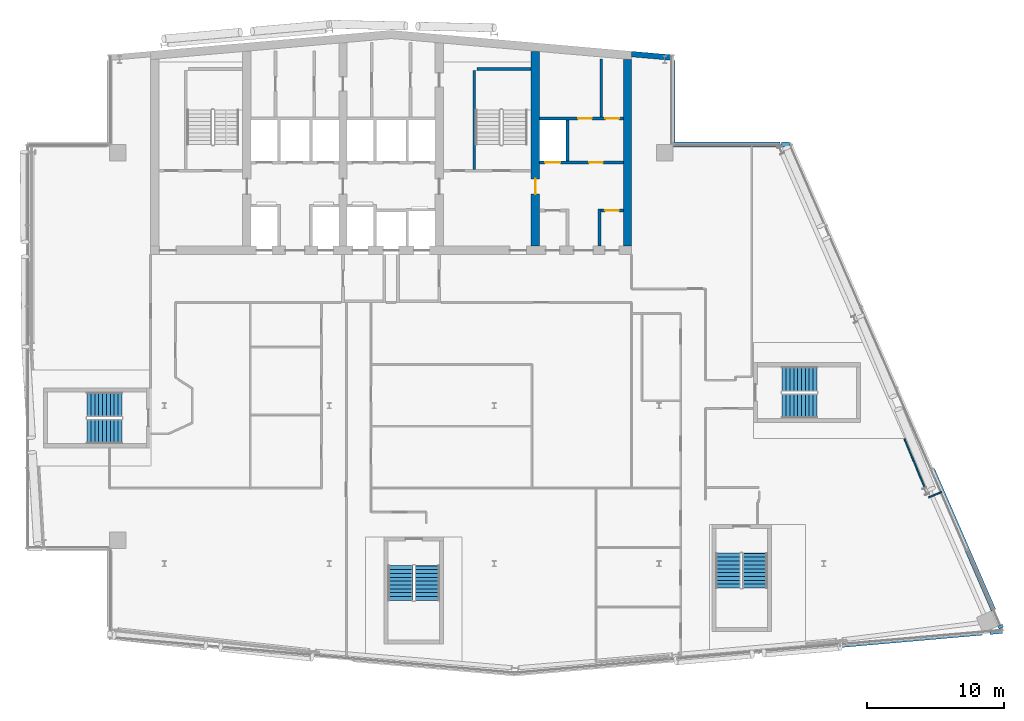
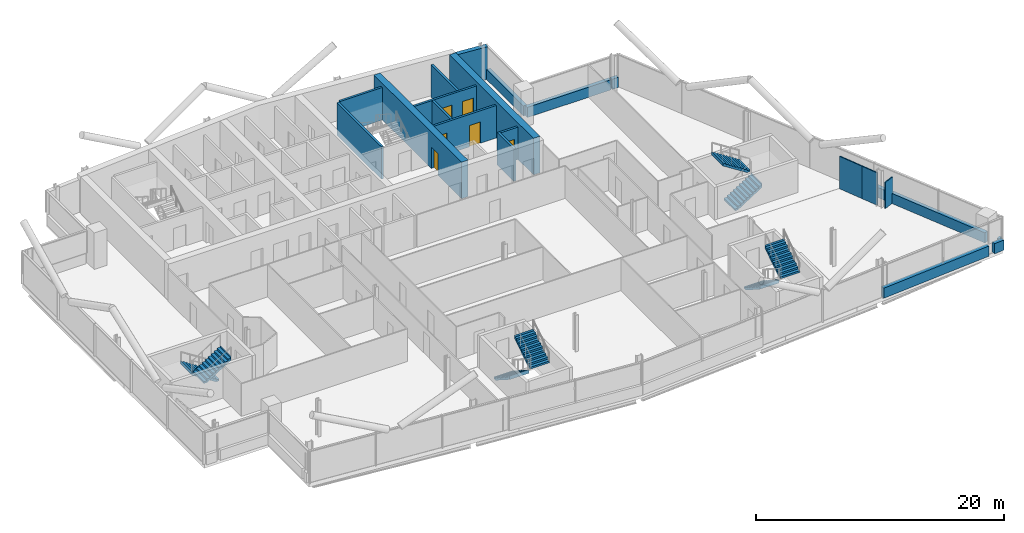
# One storey, part 19 of 27: 21 walls, 8 stair flights, 6 doors, 6 openings, 4 elements without a shape of their own.
"""IFC4 building model written with IfcOpenShell, lengths in metres."""

from ifc_helpers import new_model, si_unit, direction, frame, frame_2d, origin, place, context, subcontext, project, spatial, polyline, rectangle, outline, extrude, material, layer, layer_set, type_object, element, fill, aggregate, save


model = new_model("IFC4")

# Units and contexts
model_context = context("Model", 3, precision=1e-05, world=origin(), true_north=direction((0.0, 1.0)))
body_context = subcontext(model_context, "Body", "Model", "MODEL_VIEW")
ifc_project = project(units=[si_unit("LENGTHUNIT", "METRE"), si_unit("AREAUNIT", "SQUARE_METRE"), si_unit("VOLUMEUNIT", "CUBIC_METRE"), si_unit("PLANEANGLEUNIT", "RADIAN"), si_unit("MASSUNIT", "GRAM", prefix="KILO")], contexts=[model_context])

# Site, building, storey
site_placement = place(None, origin())
site = spatial("IfcSite", under=ifc_project, at=site_placement, CompositionType="ELEMENT")
building_placement = place(site_placement, origin())
building = spatial("IfcBuilding", under=site, at=building_placement, Name="Wharfspan Tower", CompositionType="ELEMENT")
storey_placement = place(building_placement, frame((0.0, 0.0, 228.699951)))
storey = spatial("IfcBuildingStorey", under=building, at=storey_placement, Name="L57", CompositionType="ELEMENT", Elevation=228.699951)

# Wall, opening, door
ifc_material_1 = material(Name="Calcium silicate masonry", Category="masonry")
ifc_layer_1 = layer(ifc_material_1, 0.199951)
ifc_layer_set_1 = layer_set([ifc_layer_1], Name="Calcium silicate masonry")
wall_type_1 = type_object("IfcWallType", Name="Core room wall 200", PredefinedType="PARTITIONING", material=ifc_layer_set_1)
wall_1_placement = place(storey_placement, frame((55.766602, 37.199951, 0.0), z_axis=(0.0, 0.0, 1.0), x_axis=(1.0, 0.0, 0.0)))
wall_1 = element("IfcWall", 1, at=wall_1_placement, inside=storey, type_object=wall_type_1, Name="sw:L57:FR6.3", PredefinedType="PARTITIONING", context=body_context, shape_type="SweptSolid", body=[
    extrude(rectangle(XDim=1.633301, YDim=0.199951, at=frame_2d((0.81665, 0.0))), origin(), (0.0, 0.0, 1.0), 3.199951),
])
opening_1_placement = place(wall_1_placement, frame((0.31665, 0.0, 0.0)))
opening_1 = element("IfcOpeningElement", 2, at=opening_1_placement, cuts=wall_1, Name="Opening CD57.6H3", PredefinedType="OPENING", context=body_context, shape_type="SweptSolid", body=[
    extrude(rectangle(XDim=1.0, YDim=2.100098, at=frame_2d((0.5, 1.050049))), frame((0.0, 0.109863, 0.0), z_axis=(0.0, -1.0, 0.0), x_axis=(1.0, 0.0, 0.0)), (0.0, 0.0, 1.0), 0.219971),
])
ifc_material_2 = material(Name="Steel door leaf", Category="steel")
door_type_1 = type_object("IfcDoorType", Name="Core room door 1000x2100", OperationType="SINGLE_SWING_LEFT", PredefinedType="DOOR", material=ifc_material_2)
door_1_placement = place(opening_1_placement, origin())
door_1 = element("IfcDoor", 3, at=door_1_placement, inside=storey, type_object=door_type_1, Name="d:L57:6:fh6.3", OperationType="SINGLE_SWING_RIGHT", OverallHeight=2.100098, OverallWidth=1.0, PredefinedType="DOOR", context=body_context, shape_type="SweptSolid", body=[
    extrude(rectangle(XDim=1.0, YDim=2.100098, at=frame_2d((0.5, 1.050049))), frame((0.0, 0.024902, 0.0), z_axis=(0.0, -1.0, 0.0), x_axis=(1.0, 0.0, 0.0)), (0.0, 0.0, 1.0), 0.050049),
])
fill(opening_1, door_1)

# Wall
wall_2_placement = place(storey_placement, frame((55.800049, 44.0, 0.0), z_axis=(0.0, 0.0, 1.0), x_axis=(0.0, 1.0, 0.0)))
element("IfcWall", 4, at=wall_2_placement, inside=storey, type_object=wall_type_1, Name="sw:L57:RP6.1", PredefinedType="PARTITIONING", context=body_context, shape_type="SweptSolid", body=[
    extrude(rectangle(XDim=4.217529, YDim=0.199951, at=frame_2d((2.108887, 0.0))), origin(), (0.0, 0.0, 1.0), 3.199951),
])

# Wall, opening, door
ifc_material_3 = material(Name="Concrete C50/60", Category="concrete")
ifc_layer_2 = layer(ifc_material_3, 0.600098)
ifc_layer_set_2 = layer_set([ifc_layer_2], Name="Concrete C50/60")
wall_type_2 = type_object("IfcWallType", Name="Core wall 600 C50/60", PredefinedType="SHEAR", material=ifc_layer_set_2)
wall_3_placement = place(storey_placement, frame((51.0, 34.600098, 0.0), z_axis=(0.0, 0.0, 1.0), x_axis=(0.0, 1.0, 0.0)))
wall_3 = element("IfcWall", 5, at=wall_3_placement, inside=storey, type_object=wall_type_2, Name="Core cross wall X6 L57", PredefinedType="SHEAR", context=body_context, shape_type="SweptSolid", body=[
    extrude(rectangle(XDim=14.171143, YDim=0.600098, at=frame_2d((7.085449, 0.0))), origin(), (0.0, 0.0, 1.0), 3.600098),
])
opening_2_placement = place(wall_3_placement, frame((3.800049, 0.0, 0.0)))
opening_2 = element("IfcOpeningElement", 6, at=opening_2_placement, cuts=wall_3, Name="Opening CC57.6", PredefinedType="OPENING", context=body_context, shape_type="SweptSolid", body=[
    extrude(rectangle(XDim=1.100098, YDim=2.100098, at=frame_2d((0.550049, 1.050049))), frame((0.0, 0.310059, 0.0), z_axis=(0.0, -1.0, 0.0), x_axis=(1.0, 0.0, 0.0)), (0.0, 0.0, 1.0), 0.620117),
])
door_type_2 = type_object("IfcDoorType", Name="Core corridor door 1100x2100", OperationType="SINGLE_SWING_LEFT", PredefinedType="DOOR", material=ifc_material_2)
door_2_placement = place(opening_2_placement, origin())
door_2 = element("IfcDoor", 7, at=door_2_placement, inside=storey, type_object=door_type_2, Name="xd:L57:6", OperationType="SINGLE_SWING_RIGHT", OverallHeight=2.100098, OverallWidth=1.100098, PredefinedType="DOOR", context=body_context, shape_type="SweptSolid", body=[
    extrude(rectangle(XDim=1.100098, YDim=2.100098, at=frame_2d((0.550049, 1.050049))), frame((0.0, 0.024902, 0.0), z_axis=(0.0, -1.0, 0.0), x_axis=(1.0, 0.0, 0.0)), (0.0, 0.0, 1.0), 0.050049),
])
fill(opening_2, door_2)

# Wall
wall_4_placement = place(storey_placement, frame((57.699951, 34.600098, 0.0), z_axis=(0.0, 0.0, 1.0), x_axis=(0.0, 1.0, 0.0)))
element("IfcWall", 8, at=wall_4_placement, inside=storey, type_object=wall_type_2, Name="Core cross wall EW1 L57", PredefinedType="SHEAR", context=body_context, shape_type="SweptSolid", body=[
    extrude(rectangle(XDim=13.584961, YDim=0.600098, at=frame_2d((6.79248, 0.0))), origin(), (0.0, 0.0, 1.0), 3.600098),
])

# Wall, openings, doors
ifc_material_4 = material(Name="Concrete C30/37", Category="concrete")
ifc_layer_3 = layer(ifc_material_4, 0.199951)
ifc_layer_set_3 = layer_set([ifc_layer_3], Name="Concrete C30/37")
wall_type_3 = type_object("IfcWallType", Name="Lift shaft wall 200", PredefinedType="PARTITIONING", material=ifc_layer_set_3)
wall_5_placement = place(storey_placement, frame((51.300049, 40.699951, 0.0), z_axis=(0.0, 0.0, 1.0), x_axis=(1.0, 0.0, 0.0)))
wall_5 = element("IfcWall", 9, at=wall_5_placement, inside=storey, type_object=wall_type_3, Name="sw:L57:RF6", PredefinedType="PARTITIONING", context=body_context, shape_type="SweptSolid", body=[
    extrude(rectangle(XDim=6.099854, YDim=0.199951, at=frame_2d((3.049805, 0.0))), origin(), (0.0, 0.0, 1.0), 3.199951),
])
opening_3_placement = place(wall_5_placement, frame((0.416748, 0.0, 0.0)))
opening_3 = element("IfcOpeningElement", 10, at=opening_3_placement, cuts=wall_5, Name="Opening LD.LB8.L57", PredefinedType="OPENING", context=body_context, shape_type="SweptSolid", body=[
    extrude(rectangle(XDim=1.100098, YDim=2.100098, at=frame_2d((0.550049, 1.050049))), frame((0.0, 0.109863, 0.0), z_axis=(0.0, -1.0, 0.0), x_axis=(1.0, 0.0, 0.0)), (0.0, 0.0, 1.0), 0.219971),
])
opening_4_placement = place(wall_5_placement, frame((3.616699, 0.0, 0.0)))
opening_4 = element("IfcOpeningElement", 11, at=opening_4_placement, cuts=wall_5, Name="Opening CD57.6R2", PredefinedType="OPENING", context=body_context, shape_type="SweptSolid", body=[
    extrude(rectangle(XDim=1.0, YDim=2.100098, at=frame_2d((0.5, 1.050049))), frame((0.0, 0.109863, 0.0), z_axis=(0.0, -1.0, 0.0), x_axis=(1.0, 0.0, 0.0)), (0.0, 0.0, 1.0), 0.219971),
])
door_3_placement = place(opening_4_placement, origin())
door_3 = element("IfcDoor", 12, at=door_3_placement, inside=storey, type_object=door_type_1, Name="d:L57:6:rd6.2", OperationType="SINGLE_SWING_RIGHT", OverallHeight=2.100098, OverallWidth=1.0, PredefinedType="DOOR", context=body_context, shape_type="SweptSolid", body=[
    extrude(rectangle(XDim=1.0, YDim=2.100098, at=frame_2d((0.5, 1.050049))), frame((0.0, 0.024902, 0.0), z_axis=(0.0, -1.0, 0.0), x_axis=(1.0, 0.0, 0.0)), (0.0, 0.0, 1.0), 0.050049),
])
fill(opening_4, door_3)
ifc_material_5 = material(Name="Stainless steel", Category="steel")
door_type_3 = type_object("IfcDoorType", Name="Lift landing door 1100x2100", OperationType="DOUBLE_DOOR_SLIDING", PredefinedType="DOOR", material=ifc_material_5)
door_4_placement = place(opening_3_placement, origin())
door_4 = element("IfcDoor", 13, at=door_4_placement, inside=storey, type_object=door_type_3, Name="Landing door LB8 L57", OperationType="DOUBLE_DOOR_SLIDING", OverallHeight=2.100098, OverallWidth=1.100098, PredefinedType="DOOR", context=body_context, shape_type="SweptSolid", body=[
    extrude(rectangle(XDim=1.100098, YDim=2.100098, at=frame_2d((0.550049, 1.050049))), frame((0.0, 0.024902, 0.0), z_axis=(0.0, -1.0, 0.0), x_axis=(1.0, 0.0, 0.0)), (0.0, 0.0, 1.0), 0.050049),
])
fill(opening_3, door_4)

wall_6_placement = place(storey_placement, frame((51.300049, 43.899902, 0.0), z_axis=(0.0, 0.0, 1.0), x_axis=(1.0, 0.0, 0.0)))
wall_6 = element("IfcWall", 14, at=wall_6_placement, inside=storey, type_object=wall_type_3, Name="sw:L57:RR6", PredefinedType="PARTITIONING", context=body_context, shape_type="SweptSolid", body=[
    extrude(rectangle(XDim=6.099854, YDim=0.199951, at=frame_2d((3.049805, 0.0))), origin(), (0.0, 0.0, 1.0), 3.199951),
])
opening_5_placement = place(wall_6_placement, frame((2.81665, 0.0, 0.0)))
opening_5 = element("IfcOpeningElement", 15, at=opening_5_placement, cuts=wall_6, Name="Opening CD57.6S2", PredefinedType="OPENING", context=body_context, shape_type="SweptSolid", body=[
    extrude(rectangle(XDim=1.0, YDim=2.100098, at=frame_2d((0.5, 1.050049))), frame((0.0, 0.109863, 0.0), z_axis=(0.0, -1.0, 0.0), x_axis=(1.0, 0.0, 0.0)), (0.0, 0.0, 1.0), 0.219971),
])
opening_6_placement = place(wall_6_placement, frame((4.800049, 0.0, 0.0)))
opening_6 = element("IfcOpeningElement", 16, at=opening_6_placement, cuts=wall_6, Name="Opening CD57.6S2a", PredefinedType="OPENING", context=body_context, shape_type="SweptSolid", body=[
    extrude(rectangle(XDim=1.0, YDim=2.100098, at=frame_2d((0.5, 1.050049))), frame((0.0, 0.109863, 0.0), z_axis=(0.0, -1.0, 0.0), x_axis=(1.0, 0.0, 0.0)), (0.0, 0.0, 1.0), 0.219971),
])
door_5_placement = place(opening_5_placement, origin())
door_5 = element("IfcDoor", 17, at=door_5_placement, inside=storey, type_object=door_type_1, Name="d:L57:6:rs6.2", OperationType="SINGLE_SWING_LEFT", OverallHeight=2.100098, OverallWidth=1.0, PredefinedType="DOOR", context=body_context, shape_type="SweptSolid", body=[
    extrude(rectangle(XDim=1.0, YDim=2.100098, at=frame_2d((0.5, 1.050049))), frame((0.0, 0.024902, 0.0), z_axis=(0.0, -1.0, 0.0), x_axis=(1.0, 0.0, 0.0)), (0.0, 0.0, 1.0), 0.050049),
])
fill(opening_5, door_5)
door_6_placement = place(opening_6_placement, origin())
door_6 = element("IfcDoor", 18, at=door_6_placement, inside=storey, type_object=door_type_1, Name="d:L57:6:rs6.2a", OperationType="SINGLE_SWING_LEFT", OverallHeight=2.100098, OverallWidth=1.0, PredefinedType="DOOR", context=body_context, shape_type="SweptSolid", body=[
    extrude(rectangle(XDim=1.0, YDim=2.100098, at=frame_2d((0.5, 1.050049))), frame((0.0, 0.024902, 0.0), z_axis=(0.0, -1.0, 0.0), x_axis=(1.0, 0.0, 0.0)), (0.0, 0.0, 1.0), 0.050049),
])
fill(opening_6, door_6)

# Walls
wall_7_placement = place(storey_placement, frame((0.0, 0.0, -0.000244)))
element("IfcWall", 19, at=wall_7_placement, inside=storey, type_object=wall_type_3, Name="sw:L57:FM6.1", PredefinedType="PARTITIONING", context=body_context, shape_type="SweptSolid", body=[
    extrude(outline(polyline([(55.56665, 34.600098), (55.56665, 37.300049), (55.766602, 37.300049), (55.766602, 34.600098), (55.56665, 34.600098)])), origin(), (0.0, 0.0, 1.0), 3.200195),
])
wall_8_placement = place(storey_placement, frame((0.0, 0.0, -0.000244)))
element("IfcWall", 20, at=wall_8_placement, inside=storey, type_object=wall_type_3, Name="sw:L57:RM6.0", PredefinedType="PARTITIONING", context=body_context, shape_type="SweptSolid", body=[
    extrude(outline(polyline([(53.43335, 40.800049), (53.43335, 43.800049), (53.233398, 43.800049), (53.233398, 40.800049), (53.43335, 40.800049)])), origin(), (0.0, 0.0, 1.0), 3.200195),
])
ifc_material_6 = material(Name="Gypsum board on steel studs", Category="steel")
ifc_layer_4 = layer(ifc_material_6, 0.100098)
ifc_layer_set_4 = layer_set([ifc_layer_4], Name="Gypsum board on steel studs")
wall_type_4 = type_object("IfcWallType", Name="Partition 100", PredefinedType="PARTITIONING", material=ifc_layer_set_4)
wall_9_placement = place(storey_placement, frame((78.75, 18.445068, 0.0), z_axis=(0.0, 0.0, 1.0), x_axis=(-0.381663, 0.924299, 0.0)))
element("IfcWall", 21, at=wall_9_placement, inside=storey, type_object=wall_type_4, Name="Partition L57.w055", PredefinedType="PARTITIONING", context=body_context, shape_type="SweptSolid", body=[
    extrude(rectangle(XDim=2.309814, YDim=0.100098, at=frame_2d((1.154785, 0.0))), origin(), (0.0, 0.0, 1.0), 3.199951),
])
wall_10_placement = place(storey_placement, frame((79.350098, 17.004883, 0.0), z_axis=(0.0, 0.0, 1.0), x_axis=(-0.383703, 0.923459, 0.0)))
element("IfcWall", 22, at=wall_10_placement, inside=storey, type_object=wall_type_4, Name="Partition L57.w056", PredefinedType="PARTITIONING", context=body_context, shape_type="SweptSolid", body=[
    extrude(rectangle(XDim=1.537842, YDim=0.100098, at=frame_2d((0.769043, 0.0))), origin(), (0.0, 0.0, 1.0), 3.199951),
])
wall_11_placement = place(storey_placement, frame((79.629883, 16.314941, 0.0), z_axis=(0.0, 0.0, 1.0), x_axis=(0.918616, 0.395147, 0.0)))
element("IfcWall", 23, at=wall_11_placement, inside=storey, type_object=wall_type_4, Name="Partition L57.w057", PredefinedType="PARTITIONING", context=body_context, shape_type="SweptSolid", body=[
    extrude(rectangle(XDim=1.03125, YDim=0.100098, at=frame_2d((0.515625, 0.0))), origin(), (0.0, 0.0, 1.0), 2.580078),
])
ifc_material_7 = material(Name="Concrete C40/50", Category="concrete")
ifc_layer_5 = layer(ifc_material_7, 0.350098)
ifc_layer_set_5 = layer_set([ifc_layer_5], Name="Concrete C40/50")
wall_type_5 = type_object("IfcWallType", Name="SPANDREL EXPOSED CONCRETE 350", PredefinedType="SOLIDWALL", material=ifc_layer_set_5)
wall_12_placement = place(storey_placement, frame((73.197021, 5.562256, 0.0), z_axis=(0.0, 0.0, 1.0), x_axis=(0.996198, 0.087163, 0.0)))
element("IfcWall", 24, at=wall_12_placement, inside=storey, type_object=wall_type_5, Name="Spandrel upstand L57 S2 2", PredefinedType="SOLIDWALL", context=body_context, shape_type="SweptSolid", body=[
    extrude(rectangle(XDim=10.35791, YDim=0.350098, at=frame_2d((5.178955, 0.0))), origin(), (0.0, 0.0, 1.0), 1.0),
])
wall_13_placement = place(storey_placement, frame((84.077637, 6.514404, 0.0), z_axis=(0.0, 0.0, 1.0), x_axis=(0.996213, 0.086971, 0.0)))
element("IfcWall", 25, at=wall_13_placement, inside=storey, type_object=wall_type_5, Name="Spandrel upstand L57 S2 3", PredefinedType="SOLIDWALL", context=body_context, shape_type="SweptSolid", body=[
    extrude(rectangle(XDim=0.92627, YDim=0.350098, at=frame_2d((0.463135, 0.0))), origin(), (0.0, 0.0, 1.0), 1.0),
])
wall_14_placement = place(storey_placement, frame((84.9104, 6.818604, 0.0), z_axis=(0.0, 0.0, 1.0), x_axis=(-0.398359, 0.91723, 0.0)))
element("IfcWall", 26, at=wall_14_placement, inside=storey, type_object=wall_type_5, Name="Spandrel upstand L57 E", PredefinedType="SOLIDWALL", context=body_context, shape_type="SweptSolid", body=[
    extrude(rectangle(XDim=0.21875, YDim=0.350098, at=frame_2d((0.109375, 0.0))), origin(), (0.0, 0.0, 1.0), 1.0),
])
wall_15_placement = place(storey_placement, frame((84.344727, 8.119873, 0.0), z_axis=(0.0, 0.0, 1.0), x_axis=(-0.398721, 0.917067, 0.0)))
element("IfcWall", 27, at=wall_15_placement, inside=storey, type_object=wall_type_5, Name="Spandrel upstand L57 E 2", PredefinedType="SOLIDWALL", context=body_context, shape_type="SweptSolid", body=[
    extrude(rectangle(XDim=11.181885, YDim=0.350098, at=frame_2d((5.59082, 0.0))), origin(), (0.0, 0.0, 1.0), 1.0),
])
wall_16_placement = place(storey_placement, frame((69.498535, 42.004883, 0.0), z_axis=(0.0, 0.0, 1.0), x_axis=(-1.0, 0.0, 0.0)))
element("IfcWall", 28, at=wall_16_placement, inside=storey, type_object=wall_type_5, Name="Spandrel upstand L57 NRE-H", PredefinedType="SOLIDWALL", context=body_context, shape_type="SweptSolid", body=[
    extrude(rectangle(XDim=0.57666, YDim=0.350098, at=frame_2d((0.28833, 0.0))), origin(), (0.0, 0.0, 1.0), 1.0),
])
wall_17_placement = place(storey_placement, frame((68.803467, 42.004883, 0.0), z_axis=(0.0, 0.0, 1.0), x_axis=(-1.0, 0.0, 0.0)))
element("IfcWall", 29, at=wall_17_placement, inside=storey, type_object=wall_type_5, Name="Spandrel upstand L57 NRE-H 2", PredefinedType="SOLIDWALL", context=body_context, shape_type="SweptSolid", body=[
    extrude(rectangle(XDim=7.803467, YDim=0.350098, at=frame_2d((3.901855, 0.0))), origin(), (0.0, 0.0, 1.0), 1.0),
])
wall_18_placement = place(storey_placement, frame((61.004883, 42.179932, 0.0), z_axis=(0.0, 0.0, 1.0), x_axis=(0.0, 1.0, 0.0)))
element("IfcWall", 30, at=wall_18_placement, inside=storey, type_object=wall_type_5, Name="Spandrel upstand L57 NRE-V", PredefinedType="SOLIDWALL", context=body_context, shape_type="SweptSolid", body=[
    extrude(rectangle(XDim=5.946533, YDim=0.350098, at=frame_2d((2.973145, 0.0))), origin(), (0.0, 0.0, 1.0), 1.0),
])
ifc_layer_6 = layer(ifc_material_7, 0.199951)
ifc_layer_set_6 = layer_set([ifc_layer_6], Name="Concrete C40/50")
wall_type_6 = type_object("IfcWallType", Name="Stair shaft wall 200", PredefinedType="SHEAR", material=ifc_layer_set_6)
wall_19_placement = place(storey_placement, frame((46.550049, 40.199951, 0.0), z_axis=(0.0, 0.0, 1.0), x_axis=(0.0, 1.0, 0.0)))
element("IfcWall", 31, at=wall_19_placement, inside=storey, type_object=wall_type_6, Name="ST2 stair enclosure wall L57", PredefinedType="SHEAR", context=body_context, shape_type="SweptSolid", body=[
    extrude(rectangle(XDim=7.199951, YDim=0.199951, at=frame_2d((3.600098, 0.0))), origin(), (0.0, 0.0, 1.0), 3.199951),
])
wall_20_placement = place(storey_placement, frame((46.75, 47.5, 0.0), z_axis=(0.0, 0.0, 1.0), x_axis=(1.0, 0.0, 0.0)))
element("IfcWall", 32, at=wall_20_placement, inside=storey, type_object=wall_type_6, Name="ST2 stair enclosure wall L57", PredefinedType="SHEAR", context=body_context, shape_type="SweptSolid", body=[
    extrude(rectangle(XDim=3.949951, YDim=0.199951, at=frame_2d((1.975098, 0.0))), origin(), (0.0, 0.0, 1.0), 3.199951),
])
ifc_layer_7 = layer(ifc_material_7, 0.399902)
ifc_layer_set_7 = layer_set([ifc_layer_7], Name="Concrete C40/50")
wall_type_7 = type_object("IfcWallType", Name="WALL EXPOSED CONCRETE 400", PredefinedType="SOLIDWALL", material=ifc_layer_set_7)
wall_21_placement = place(storey_placement, frame((60.982666, 48.325684, 0.0), z_axis=(0.0, 0.0, 1.0), x_axis=(-0.996194, 0.087168, 0.0)))
element("IfcWall", 33, at=wall_21_placement, inside=storey, type_object=wall_type_7, Name="Rear wall N2", PredefinedType="SOLIDWALL", context=body_context, shape_type="SweptSolid", body=[
    extrude(rectangle(XDim=2.994141, YDim=0.399902, at=frame_2d((1.49707, 0.0))), origin(), (0.0, 0.0, 1.0), 3.199951),
])

# Stair, stair flights
stair_type = type_object("IfcStairType", Name="Half-turn stair 20 risers 180 mm", PredefinedType="HALF_TURN_STAIR", material=ifc_material_7)
stair_1_placement = place(storey_placement, origin())
stair_1 = element("IfcStair", 34, at=stair_1_placement, inside=storey, type_object=stair_type, Name="L57 stair ST3", PredefinedType="HALF_TURN_STAIR")
stair_flight_type = type_object("IfcStairFlightType", Name="Stair flight 20 risers 180 mm", PredefinedType="STRAIGHT", material=ifc_material_7)
stair_flight_1_placement = place(storey_placement, frame((20.899902, 23.074951, 0.0), z_axis=(0.0, 0.0, 1.0), x_axis=(-1.0, 0.0, 0.0)))
stair_flight_1 = element("IfcStairFlight", 35, at=stair_flight_1_placement, type_object=stair_flight_type, Name="ST3 flight 1", NumberOfRisers=10, NumberOfTreads=9, PredefinedType="STRAIGHT", RiserHeight=0.18, TreadLength=0.28, context=body_context, shape_type="SweptSolid", body=[
    extrude(outline(polyline([(-0.011963, 0.0), (-0.011963, 0.179932), (0.0, 0.179932), (0.280029, 0.179932), (0.280029, 0.360107), (0.560059, 0.360107), (0.560059, 0.540039), (0.840088, 0.540039), (0.840088, 0.719971), (1.120117, 0.719971), (1.120117, 0.899902), (1.399902, 0.899902), (1.399902, 1.080078), (1.679932, 1.080078), (1.679932, 1.26001), (1.959961, 1.26001), (1.959961, 1.439941), (2.23999, 1.439941), (2.23999, 1.620117), (2.52002, 1.620117), (2.531982, 1.800049), (2.531982, 1.441895), (0.2771, 0.0), (-0.011963, 0.0)])), frame((0.0, 0.899902, 0.0), z_axis=(0.0, -1.0, 0.0), x_axis=(1.0, 0.0, 0.0)), (0.0, 0.0, 1.0), 0.899414),
    extrude(outline(polyline([(-0.011963, 0.0), (-0.011963, 0.179932), (0.0, 0.179932), (0.280029, 0.179932), (0.280029, 0.360107), (0.560059, 0.360107), (0.560059, 0.540039), (0.840088, 0.540039), (0.840088, 0.719971), (1.120117, 0.719971), (1.120117, 0.899902), (1.399902, 0.899902), (1.399902, 1.080078), (1.679932, 1.080078), (1.679932, 1.26001), (1.959961, 1.26001), (1.959961, 1.439941), (2.23999, 1.439941), (2.23999, 1.620117), (2.52002, 1.620117), (2.531982, 1.800049), (2.531982, 1.441895), (0.2771, 0.0), (-0.011963, 0.0)])), frame((0.0, -0.000488, 0.0), z_axis=(0.0, -1.0, 0.0), x_axis=(1.0, 0.0, 0.0)), (0.0, 0.0, 1.0), 0.899414),
])
stair_flight_2_placement = place(storey_placement, frame((18.379883, 21.125, 1.800049), z_axis=(0.0, 0.0, 1.0), x_axis=(1.0, 0.0, 0.0)))
stair_flight_2 = element("IfcStairFlight", 36, at=stair_flight_2_placement, type_object=stair_flight_type, Name="ST3 flight 2", NumberOfRisers=10, NumberOfTreads=9, PredefinedType="STRAIGHT", RiserHeight=0.18, TreadLength=0.28, context=body_context, shape_type="SweptSolid", body=[
    extrude(outline(polyline([(-0.011963, 0.0), (-0.011963, 0.179932), (0.0, 0.179932), (0.280029, 0.179932), (0.280029, 0.360107), (0.560059, 0.360107), (0.560059, 0.540039), (0.840088, 0.540039), (0.840088, 0.719971), (1.120117, 0.719971), (1.120117, 0.899902), (1.399902, 0.899902), (1.399902, 1.080078), (1.679932, 1.080078), (1.679932, 1.26001), (1.959961, 1.26001), (1.959961, 1.439941), (2.23999, 1.439941), (2.23999, 1.620117), (2.52002, 1.620117), (2.531982, 1.800049), (2.531982, 1.441895), (0.2771, 0.0), (-0.011963, 0.0)])), frame((0.0, 0.899902, 0.0), z_axis=(0.0, -1.0, 0.0), x_axis=(1.0, 0.0, 0.0)), (0.0, 0.0, 1.0), 0.899414),
    extrude(outline(polyline([(-0.011963, 0.0), (-0.011963, 0.179932), (0.0, 0.179932), (0.280029, 0.179932), (0.280029, 0.360107), (0.560059, 0.360107), (0.560059, 0.540039), (0.840088, 0.540039), (0.840088, 0.719971), (1.120117, 0.719971), (1.120117, 0.899902), (1.399902, 0.899902), (1.399902, 1.080078), (1.679932, 1.080078), (1.679932, 1.26001), (1.959961, 1.26001), (1.959961, 1.439941), (2.23999, 1.439941), (2.23999, 1.620117), (2.52002, 1.620117), (2.531982, 1.800049), (2.531982, 1.441895), (0.2771, 0.0), (-0.011963, 0.0)])), frame((0.0, -0.000488, 0.0), z_axis=(0.0, -1.0, 0.0), x_axis=(1.0, 0.0, 0.0)), (0.0, 0.0, 1.0), 0.899414),
])
aggregate(stair_1, [stair_flight_1, stair_flight_2])

stair_2_placement = place(storey_placement, origin())
stair_2 = element("IfcStair", 37, at=stair_2_placement, inside=storey, type_object=stair_type, Name="L57 stair ST4", PredefinedType="HALF_TURN_STAIR")
stair_flight_3_placement = place(storey_placement, frame((41.177002, 11.343262, 0.0), z_axis=(0.0, 0.0, 1.0), x_axis=(0.0, -1.0, 0.0)))
stair_flight_3 = element("IfcStairFlight", 38, at=stair_flight_3_placement, type_object=stair_flight_type, Name="ST4 flight 1", NumberOfRisers=10, NumberOfTreads=9, PredefinedType="STRAIGHT", RiserHeight=0.18, TreadLength=0.28, context=body_context, shape_type="SweptSolid", body=[
    extrude(outline(polyline([(-0.011963, 0.0), (-0.011963, 0.179932), (0.0, 0.179932), (0.280029, 0.179932), (0.280029, 0.360107), (0.560059, 0.360107), (0.560059, 0.540039), (0.840088, 0.540039), (0.840088, 0.719971), (1.120117, 0.719971), (1.120117, 0.899902), (1.399902, 0.899902), (1.399902, 1.080078), (1.679932, 1.080078), (1.679932, 1.26001), (1.959961, 1.26001), (1.959961, 1.439941), (2.23999, 1.439941), (2.23999, 1.620117), (2.52002, 1.620117), (2.531982, 1.800049), (2.531982, 1.441895), (0.2771, 0.0), (-0.011963, 0.0)])), frame((0.0, 0.899902, 0.0), z_axis=(0.0, -1.0, 0.0), x_axis=(1.0, 0.0, 0.0)), (0.0, 0.0, 1.0), 0.899414),
    extrude(outline(polyline([(-0.011963, 0.0), (-0.011963, 0.179932), (0.0, 0.179932), (0.280029, 0.179932), (0.280029, 0.360107), (0.560059, 0.360107), (0.560059, 0.540039), (0.840088, 0.540039), (0.840088, 0.719971), (1.120117, 0.719971), (1.120117, 0.899902), (1.399902, 0.899902), (1.399902, 1.080078), (1.679932, 1.080078), (1.679932, 1.26001), (1.959961, 1.26001), (1.959961, 1.439941), (2.23999, 1.439941), (2.23999, 1.620117), (2.52002, 1.620117), (2.531982, 1.800049), (2.531982, 1.441895), (0.2771, 0.0), (-0.011963, 0.0)])), frame((0.0, -0.000488, 0.0), z_axis=(0.0, -1.0, 0.0), x_axis=(1.0, 0.0, 0.0)), (0.0, 0.0, 1.0), 0.899414),
])
stair_flight_4_placement = place(storey_placement, frame((43.127197, 8.823242, 1.800049), z_axis=(0.0, 0.0, 1.0), x_axis=(0.0, 1.0, 0.0)))
stair_flight_4 = element("IfcStairFlight", 39, at=stair_flight_4_placement, type_object=stair_flight_type, Name="ST4 flight 2", NumberOfRisers=10, NumberOfTreads=9, PredefinedType="STRAIGHT", RiserHeight=0.18, TreadLength=0.28, context=body_context, shape_type="SweptSolid", body=[
    extrude(outline(polyline([(-0.011963, 0.0), (-0.011963, 0.179932), (0.0, 0.179932), (0.280029, 0.179932), (0.280029, 0.360107), (0.560059, 0.360107), (0.560059, 0.540039), (0.840088, 0.540039), (0.840088, 0.719971), (1.120117, 0.719971), (1.120117, 0.899902), (1.399902, 0.899902), (1.399902, 1.080078), (1.679932, 1.080078), (1.679932, 1.26001), (1.959961, 1.26001), (1.959961, 1.439941), (2.23999, 1.439941), (2.23999, 1.620117), (2.52002, 1.620117), (2.531982, 1.800049), (2.531982, 1.441895), (0.2771, 0.0), (-0.011963, 0.0)])), frame((0.0, 0.899902, 0.0), z_axis=(0.0, -1.0, 0.0), x_axis=(1.0, 0.0, 0.0)), (0.0, 0.0, 1.0), 0.899414),
    extrude(outline(polyline([(-0.011963, 0.0), (-0.011963, 0.179932), (0.0, 0.179932), (0.280029, 0.179932), (0.280029, 0.360107), (0.560059, 0.360107), (0.560059, 0.540039), (0.840088, 0.540039), (0.840088, 0.719971), (1.120117, 0.719971), (1.120117, 0.899902), (1.399902, 0.899902), (1.399902, 1.080078), (1.679932, 1.080078), (1.679932, 1.26001), (1.959961, 1.26001), (1.959961, 1.439941), (2.23999, 1.439941), (2.23999, 1.620117), (2.52002, 1.620117), (2.531982, 1.800049), (2.531982, 1.441895), (0.2771, 0.0), (-0.011963, 0.0)])), frame((0.0, -0.000488, 0.0), z_axis=(0.0, -1.0, 0.0), x_axis=(1.0, 0.0, 0.0)), (0.0, 0.0, 1.0), 0.899414),
])
aggregate(stair_2, [stair_flight_3, stair_flight_4])

stair_3_placement = place(storey_placement, origin())
stair_3 = element("IfcStair", 40, at=stair_3_placement, inside=storey, type_object=stair_type, Name="L57 stair ST5", PredefinedType="HALF_TURN_STAIR")
stair_flight_5_placement = place(storey_placement, frame((65.043701, 12.246094, 0.0), z_axis=(0.0, 0.0, 1.0), x_axis=(0.0, -1.0, 0.0)))
stair_flight_5 = element("IfcStairFlight", 41, at=stair_flight_5_placement, type_object=stair_flight_type, Name="ST5 flight 1", NumberOfRisers=10, NumberOfTreads=9, PredefinedType="STRAIGHT", RiserHeight=0.18, TreadLength=0.28, context=body_context, shape_type="SweptSolid", body=[
    extrude(outline(polyline([(-0.011963, 0.0), (-0.011963, 0.179932), (0.0, 0.179932), (0.280029, 0.179932), (0.280029, 0.360107), (0.560059, 0.360107), (0.560059, 0.540039), (0.840088, 0.540039), (0.840088, 0.719971), (1.120117, 0.719971), (1.120117, 0.899902), (1.399902, 0.899902), (1.399902, 1.080078), (1.679932, 1.080078), (1.679932, 1.26001), (1.959961, 1.26001), (1.959961, 1.439941), (2.23999, 1.439941), (2.23999, 1.620117), (2.52002, 1.620117), (2.531982, 1.800049), (2.531982, 1.441895), (0.2771, 0.0), (-0.011963, 0.0)])), frame((0.0, 0.899902, 0.0), z_axis=(0.0, -1.0, 0.0), x_axis=(1.0, 0.0, 0.0)), (0.0, 0.0, 1.0), 0.899414),
    extrude(outline(polyline([(-0.011963, 0.0), (-0.011963, 0.179932), (0.0, 0.179932), (0.280029, 0.179932), (0.280029, 0.360107), (0.560059, 0.360107), (0.560059, 0.540039), (0.840088, 0.540039), (0.840088, 0.719971), (1.120117, 0.719971), (1.120117, 0.899902), (1.399902, 0.899902), (1.399902, 1.080078), (1.679932, 1.080078), (1.679932, 1.26001), (1.959961, 1.26001), (1.959961, 1.439941), (2.23999, 1.439941), (2.23999, 1.620117), (2.52002, 1.620117), (2.531982, 1.800049), (2.531982, 1.441895), (0.2771, 0.0), (-0.011963, 0.0)])), frame((0.0, -0.000488, 0.0), z_axis=(0.0, -1.0, 0.0), x_axis=(1.0, 0.0, 0.0)), (0.0, 0.0, 1.0), 0.899414),
])
stair_flight_6_placement = place(storey_placement, frame((66.993896, 9.726074, 1.800049), z_axis=(0.0, 0.0, 1.0), x_axis=(0.0, 1.0, 0.0)))
stair_flight_6 = element("IfcStairFlight", 42, at=stair_flight_6_placement, type_object=stair_flight_type, Name="ST5 flight 2", NumberOfRisers=10, NumberOfTreads=9, PredefinedType="STRAIGHT", RiserHeight=0.18, TreadLength=0.28, context=body_context, shape_type="SweptSolid", body=[
    extrude(outline(polyline([(-0.011963, 0.0), (-0.011963, 0.179932), (0.0, 0.179932), (0.280029, 0.179932), (0.280029, 0.360107), (0.560059, 0.360107), (0.560059, 0.540039), (0.840088, 0.540039), (0.840088, 0.719971), (1.120117, 0.719971), (1.120117, 0.899902), (1.399902, 0.899902), (1.399902, 1.080078), (1.679932, 1.080078), (1.679932, 1.26001), (1.959961, 1.26001), (1.959961, 1.439941), (2.23999, 1.439941), (2.23999, 1.620117), (2.52002, 1.620117), (2.531982, 1.800049), (2.531982, 1.441895), (0.2771, 0.0), (-0.011963, 0.0)])), frame((0.0, 0.899902, 0.0), z_axis=(0.0, -1.0, 0.0), x_axis=(1.0, 0.0, 0.0)), (0.0, 0.0, 1.0), 0.899414),
    extrude(outline(polyline([(-0.011963, 0.0), (-0.011963, 0.179932), (0.0, 0.179932), (0.280029, 0.179932), (0.280029, 0.360107), (0.560059, 0.360107), (0.560059, 0.540039), (0.840088, 0.540039), (0.840088, 0.719971), (1.120117, 0.719971), (1.120117, 0.899902), (1.399902, 0.899902), (1.399902, 1.080078), (1.679932, 1.080078), (1.679932, 1.26001), (1.959961, 1.26001), (1.959961, 1.439941), (2.23999, 1.439941), (2.23999, 1.620117), (2.52002, 1.620117), (2.531982, 1.800049), (2.531982, 1.441895), (0.2771, 0.0), (-0.011963, 0.0)])), frame((0.0, -0.000488, 0.0), z_axis=(0.0, -1.0, 0.0), x_axis=(1.0, 0.0, 0.0)), (0.0, 0.0, 1.0), 0.899414),
])
aggregate(stair_3, [stair_flight_5, stair_flight_6])

stair_4_placement = place(storey_placement, origin())
stair_4 = element("IfcStair", 43, at=stair_4_placement, inside=storey, type_object=stair_type, Name="L57 stair ST6", PredefinedType="HALF_TURN_STAIR")
stair_flight_7_placement = place(storey_placement, frame((68.969482, 22.975098, 0.0), z_axis=(0.0, 0.0, 1.0), x_axis=(1.0, 0.0, 0.0)))
stair_flight_7 = element("IfcStairFlight", 44, at=stair_flight_7_placement, type_object=stair_flight_type, Name="ST6 flight 1", NumberOfRisers=10, NumberOfTreads=9, PredefinedType="STRAIGHT", RiserHeight=0.18, TreadLength=0.28, context=body_context, shape_type="SweptSolid", body=[
    extrude(outline(polyline([(-0.011963, 0.0), (-0.011963, 0.179932), (0.0, 0.179932), (0.280029, 0.179932), (0.280029, 0.360107), (0.560059, 0.360107), (0.560059, 0.540039), (0.840088, 0.540039), (0.840088, 0.719971), (1.120117, 0.719971), (1.120117, 0.899902), (1.399902, 0.899902), (1.399902, 1.080078), (1.679932, 1.080078), (1.679932, 1.26001), (1.959961, 1.26001), (1.959961, 1.439941), (2.23999, 1.439941), (2.23999, 1.620117), (2.52002, 1.620117), (2.531982, 1.800049), (2.531982, 1.441895), (0.2771, 0.0), (-0.011963, 0.0)])), frame((0.0, 0.899902, 0.0), z_axis=(0.0, -1.0, 0.0), x_axis=(1.0, 0.0, 0.0)), (0.0, 0.0, 1.0), 0.899414),
    extrude(outline(polyline([(-0.011963, 0.0), (-0.011963, 0.179932), (0.0, 0.179932), (0.280029, 0.179932), (0.280029, 0.360107), (0.560059, 0.360107), (0.560059, 0.540039), (0.840088, 0.540039), (0.840088, 0.719971), (1.120117, 0.719971), (1.120117, 0.899902), (1.399902, 0.899902), (1.399902, 1.080078), (1.679932, 1.080078), (1.679932, 1.26001), (1.959961, 1.26001), (1.959961, 1.439941), (2.23999, 1.439941), (2.23999, 1.620117), (2.52002, 1.620117), (2.531982, 1.800049), (2.531982, 1.441895), (0.2771, 0.0), (-0.011963, 0.0)])), frame((0.0, -0.000488, 0.0), z_axis=(0.0, -1.0, 0.0), x_axis=(1.0, 0.0, 0.0)), (0.0, 0.0, 1.0), 0.899414),
])
stair_flight_8_placement = place(storey_placement, frame((71.489502, 24.925049, 1.800049), z_axis=(0.0, 0.0, 1.0), x_axis=(-1.0, 0.0, 0.0)))
stair_flight_8 = element("IfcStairFlight", 45, at=stair_flight_8_placement, type_object=stair_flight_type, Name="ST6 flight 2", NumberOfRisers=10, NumberOfTreads=9, PredefinedType="STRAIGHT", RiserHeight=0.18, TreadLength=0.28, context=body_context, shape_type="SweptSolid", body=[
    extrude(outline(polyline([(-0.011963, 0.0), (-0.011963, 0.179932), (0.0, 0.179932), (0.280029, 0.179932), (0.280029, 0.360107), (0.560059, 0.360107), (0.560059, 0.540039), (0.840088, 0.540039), (0.840088, 0.719971), (1.120117, 0.719971), (1.120117, 0.899902), (1.399902, 0.899902), (1.399902, 1.080078), (1.679932, 1.080078), (1.679932, 1.26001), (1.959961, 1.26001), (1.959961, 1.439941), (2.23999, 1.439941), (2.23999, 1.620117), (2.52002, 1.620117), (2.531982, 1.800049), (2.531982, 1.441895), (0.2771, 0.0), (-0.011963, 0.0)])), frame((0.0, 0.899902, 0.0), z_axis=(0.0, -1.0, 0.0), x_axis=(1.0, 0.0, 0.0)), (0.0, 0.0, 1.0), 0.899414),
    extrude(outline(polyline([(-0.011963, 0.0), (-0.011963, 0.179932), (0.0, 0.179932), (0.280029, 0.179932), (0.280029, 0.360107), (0.560059, 0.360107), (0.560059, 0.540039), (0.840088, 0.540039), (0.840088, 0.719971), (1.120117, 0.719971), (1.120117, 0.899902), (1.399902, 0.899902), (1.399902, 1.080078), (1.679932, 1.080078), (1.679932, 1.26001), (1.959961, 1.26001), (1.959961, 1.439941), (2.23999, 1.439941), (2.23999, 1.620117), (2.52002, 1.620117), (2.531982, 1.800049), (2.531982, 1.441895), (0.2771, 0.0), (-0.011963, 0.0)])), frame((0.0, -0.000488, 0.0), z_axis=(0.0, -1.0, 0.0), x_axis=(1.0, 0.0, 0.0)), (0.0, 0.0, 1.0), 0.899414),
])
aggregate(stair_4, [stair_flight_7, stair_flight_8])

save(model, "model.ifc")
